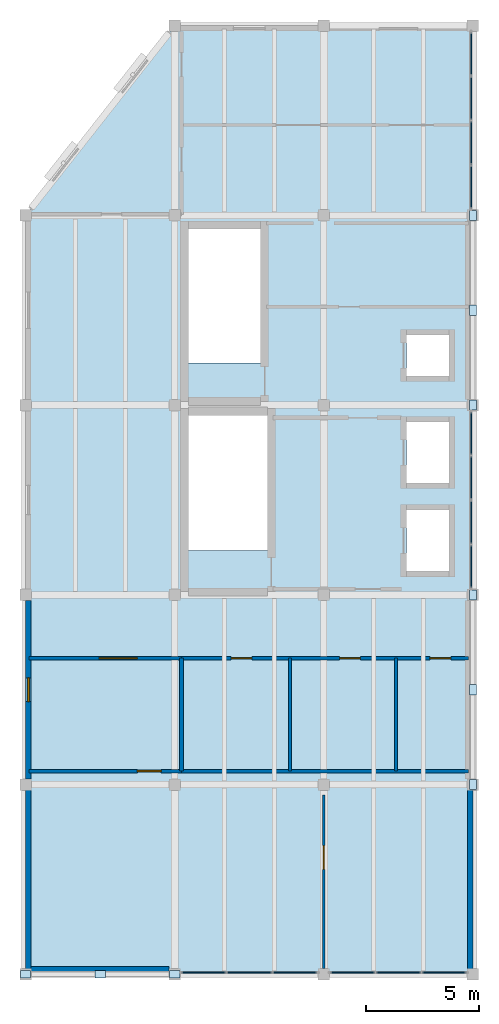
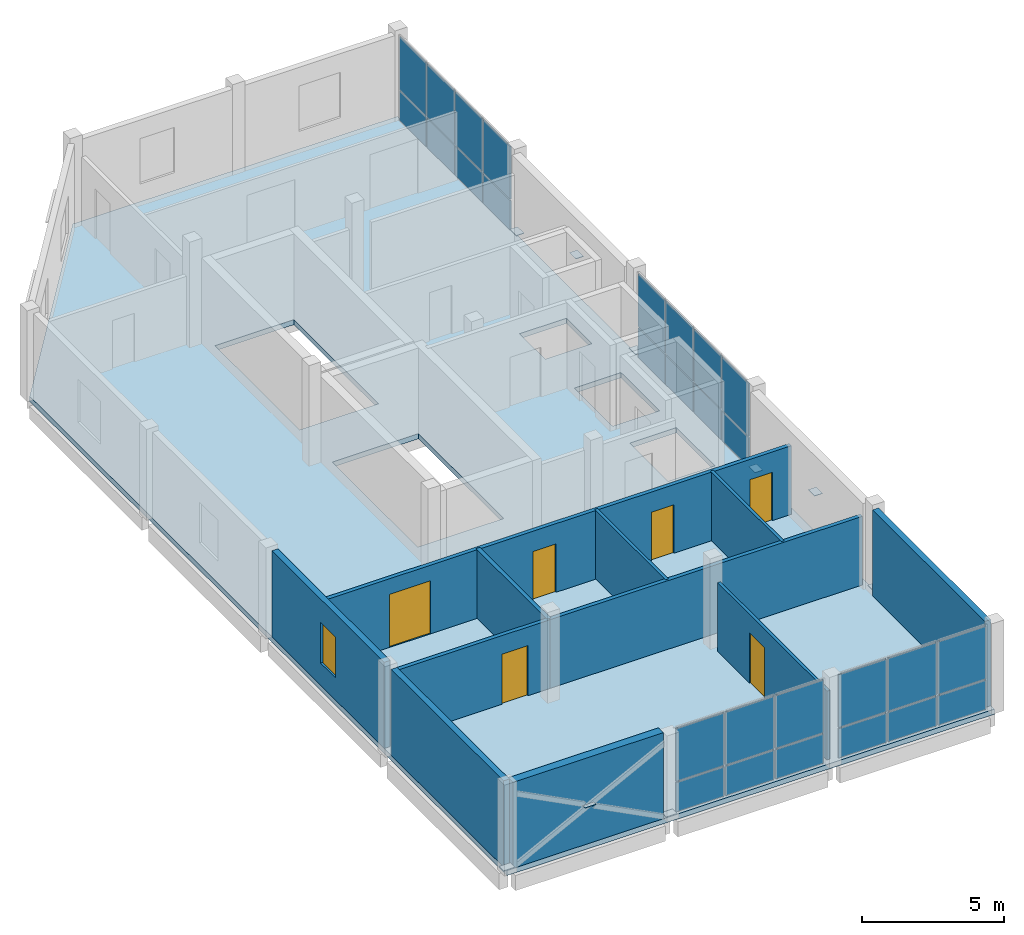
# One storey, part 4 of 7: 37 plates, 12 walls, 6 doors, 1 slab, 1 window, 7 openings, 4 elements without a shape of their own.
"""IFC4 building model written with IfcOpenShell, lengths in metres."""

from ifc_helpers import new_model, si_unit, direction, frame, frame_2d, origin, origin_2d, place, context, subcontext, project, spatial, polyline, rectangle, outline, extrude, material, layer, layer_set, type_object, element, fill, aggregate, save


model = new_model("IFC4")

# Units and contexts
model_context = context("Model", 3, precision=1e-05, world=origin(), true_north=direction((0.0, 1.0)))
body_context = subcontext(model_context, "Body", "Model", "MODEL_VIEW")
ifc_project = project(units=[si_unit("LENGTHUNIT", "METRE"), si_unit("AREAUNIT", "SQUARE_METRE"), si_unit("VOLUMEUNIT", "CUBIC_METRE"), si_unit("PLANEANGLEUNIT", "RADIAN"), si_unit("MASSUNIT", "GRAM", prefix="KILO")], contexts=[model_context])

# Site, building, storey
site_placement = place(None, origin())
site = spatial("IfcSite", under=ifc_project, at=site_placement, CompositionType="ELEMENT")
building_placement = place(site_placement, origin())
building = spatial("IfcBuilding", under=site, at=building_placement, Name="Qaldarim Faculty of Natural and Applied Sciences", CompositionType="ELEMENT")
storey_placement = place(building_placement, frame((0.0, 0.0, 47.10009765625)))
storey = spatial("IfcBuildingStorey", under=building, at=storey_placement, Name="L11", CompositionType="ELEMENT", Elevation=47.10009765625)

# Plates
ifc_material_1 = material(Name="Structural steel S355", Category="steel")
ifc_layer_1 = layer(ifc_material_1, 0.02001953125)
ifc_layer_set_1 = layer_set([ifc_layer_1], Name="Structural steel S355")
plate_type_1 = type_object("IfcPlateType", Name="GussetPlate-S355-450x320x20", PredefinedType="SHEET", material=ifc_layer_set_1)
for number, where, z_axis, x_axis, name in (
    (1, (161.699951171875, 0.0, 1.68994140625), (0.0, 0.0, 1.0), (1.0, 0.0, 0.0), "South diagrid L11 X-crossing gusset plate"),
    (2, (158.39990234375, 0.0, 0.139892578125), (0.0, 0.0, 1.0), (1.0, 0.0, 0.0), "South diagrid L11 base gusset BL"),
    (3, (165.0, 0.0, 0.139892578125), (0.0, 0.0, 1.0), (1.0, 0.0, 0.0), "South diagrid L11 base gusset BR"),
    (4, (178.199951171875, 12.60009765625, 1.68994140625), (0.0, 0.0, 1.0), (0.0, 1.0, 0.0), "East diagrid L11 X-crossing gusset plate"),
    (5, (178.199951171875, 8.39990234375, 0.139892578125), (0.0, 0.0, 1.0), (0.0, 1.0, 0.0), "East diagrid L11 base gusset BL"),
    (6, (178.199951171875, 16.800048828125, 0.139892578125), (0.0, 0.0, 1.0), (0.0, 1.0, 0.0), "East diagrid L11 base gusset BR"),
    (7, (178.199951171875, 29.39990234375, 1.68994140625), (0.0, 0.0, 1.0), (0.0, 1.0, 0.0), "Upper east diagrid L11 X-crossing gusset plate"),
    (8, (178.199951171875, 25.199951171875, 0.139892578125), (0.0, 0.0, 1.0), (0.0, 1.0, 0.0), "Upper east diagrid L11 base gusset BL"),
    (9, (178.199951171875, 33.60009765625, 0.139892578125), (0.0, 0.0, 1.0), (0.0, 1.0, 0.0), "Upper east diagrid L11 base gusset BR"),
):
    element("IfcPlate", number, at=place(storey_placement, frame(where, z_axis=z_axis, x_axis=x_axis)), inside=storey, type_object=plate_type_1, Name=name, PredefinedType="SHEET", context=body_context, shape_type="SweptSolid", body=[
        extrude(rectangle(XDim=0.449951171875, YDim=0.320068359375, at=origin_2d()), origin(), (0.0, 0.0, 1.0), 0.02001953125),
    ])

# Curtain wall, plates
ifc_material_2 = material(Name="Anodised aluminium AW-6063", Category="aluminium")
curtain_wall_type = type_object("IfcCurtainWallType", Name="CurtainWallSystem-M1950", PredefinedType="USERDEFINED", material=ifc_material_2)
curtain_wall_1_placement = place(storey_placement, origin())
curtain_wall_1 = element("IfcCurtainWall", 10, at=curtain_wall_1_placement, inside=storey, type_object=curtain_wall_type, Name="Curtain wall CW-L11-S-X26Y01", ObjectType="UNITISED FACADE", PredefinedType="USERDEFINED")
ifc_material_3 = material(Name="White architectural precast concrete C40/50", Category="concrete")
ifc_layer_2 = layer(ifc_material_3, 0.050048828125)
ifc_layer_set_2 = layer_set([ifc_layer_2], Name="White architectural precast concrete C40/50")
plate_type_2 = type_object("IfcPlateType", Name="LimestoneSpandrelPanel-50", PredefinedType="CURTAIN_PANEL", material=ifc_layer_set_2)
plate_1_placement = place(storey_placement, frame((166.2783203125, 0.080078125, 0.06005859375), z_axis=(0.0, 0.0, 1.0), x_axis=(1.0, 0.0, 0.0)))
plate_1 = element("IfcPlate", 11, at=plate_1_placement, type_object=plate_type_2, Name="Glazed panel 1-1 of CW-L11-S-X26Y01", PredefinedType="CURTAIN_PANEL", context=body_context, shape_type="SweptSolid", body=[
    extrude(rectangle(XDim=1.94677734375, YDim=0.050048828125, at=origin_2d()), origin(), (0.0, 0.0, 1.0), 1.260009765625),
])
plate_2_placement = place(storey_placement, frame((166.2783203125, 0.080078125, 1.3798828125), z_axis=(0.0, 0.0, 1.0), x_axis=(1.0, 0.0, 0.0)))
plate_2 = element("IfcPlate", 12, at=plate_2_placement, type_object=plate_type_2, Name="Glazed panel 1-2 of CW-L11-S-X26Y01", PredefinedType="CURTAIN_PANEL", context=body_context, shape_type="SweptSolid", body=[
    extrude(rectangle(XDim=1.94677734375, YDim=0.050048828125, at=origin_2d()), origin(), (0.0, 0.0, 1.0), 2.260009765625),
])
plate_3_placement = place(storey_placement, frame((168.300048828125, 0.080078125, 0.06005859375), z_axis=(0.0, 0.0, 1.0), x_axis=(1.0, 0.0, 0.0)))
plate_3 = element("IfcPlate", 13, at=plate_3_placement, type_object=plate_type_2, Name="Glazed panel 2-1 of CW-L11-S-X26Y01", PredefinedType="CURTAIN_PANEL", context=body_context, shape_type="SweptSolid", body=[
    extrude(rectangle(XDim=1.976806640625, YDim=0.050048828125, at=origin_2d()), origin(), (0.0, 0.0, 1.0), 1.260009765625),
])
plate_4_placement = place(storey_placement, frame((168.300048828125, 0.080078125, 1.3798828125), z_axis=(0.0, 0.0, 1.0), x_axis=(1.0, 0.0, 0.0)))
plate_4 = element("IfcPlate", 14, at=plate_4_placement, type_object=plate_type_2, Name="Glazed panel 2-2 of CW-L11-S-X26Y01", PredefinedType="CURTAIN_PANEL", context=body_context, shape_type="SweptSolid", body=[
    extrude(rectangle(XDim=1.976806640625, YDim=0.050048828125, at=origin_2d()), origin(), (0.0, 0.0, 1.0), 2.260009765625),
])
plate_5_placement = place(storey_placement, frame((170.32177734375, 0.080078125, 0.06005859375), z_axis=(0.0, 0.0, 1.0), x_axis=(1.0, 0.0, 0.0)))
plate_5 = element("IfcPlate", 15, at=plate_5_placement, type_object=plate_type_2, Name="Glazed panel 3-1 of CW-L11-S-X26Y01", PredefinedType="CURTAIN_PANEL", context=body_context, shape_type="SweptSolid", body=[
    extrude(rectangle(XDim=1.94677734375, YDim=0.050048828125, at=origin_2d()), origin(), (0.0, 0.0, 1.0), 1.260009765625),
])
plate_6_placement = place(storey_placement, frame((170.32177734375, 0.080078125, 1.3798828125), z_axis=(0.0, 0.0, 1.0), x_axis=(1.0, 0.0, 0.0)))
plate_6 = element("IfcPlate", 16, at=plate_6_placement, type_object=plate_type_2, Name="Glazed panel 3-2 of CW-L11-S-X26Y01", PredefinedType="CURTAIN_PANEL", context=body_context, shape_type="SweptSolid", body=[
    extrude(rectangle(XDim=1.94677734375, YDim=0.050048828125, at=origin_2d()), origin(), (0.0, 0.0, 1.0), 2.260009765625),
])
aggregate(curtain_wall_1, [plate_1, plate_2, plate_3, plate_4, plate_5, plate_6])

curtain_wall_2_placement = place(storey_placement, origin())
curtain_wall_2 = element("IfcCurtainWall", 17, at=curtain_wall_2_placement, inside=storey, type_object=curtain_wall_type, Name="Curtain wall CW-L11-S-X27Y01", ObjectType="UNITISED FACADE", PredefinedType="USERDEFINED")
plate_7_placement = place(storey_placement, frame((172.87841796875, 0.080078125, 0.06005859375), z_axis=(0.0, 0.0, 1.0), x_axis=(1.0, 0.0, 0.0)))
plate_7 = element("IfcPlate", 18, at=plate_7_placement, type_object=plate_type_2, Name="Glazed panel 1-1 of CW-L11-S-X27Y01", PredefinedType="CURTAIN_PANEL", context=body_context, shape_type="SweptSolid", body=[
    extrude(rectangle(XDim=1.94677734375, YDim=0.050048828125, at=origin_2d()), origin(), (0.0, 0.0, 1.0), 1.260009765625),
])
plate_8_placement = place(storey_placement, frame((172.87841796875, 0.080078125, 1.3798828125), z_axis=(0.0, 0.0, 1.0), x_axis=(1.0, 0.0, 0.0)))
plate_8 = element("IfcPlate", 19, at=plate_8_placement, type_object=plate_type_2, Name="Glazed panel 1-2 of CW-L11-S-X27Y01", PredefinedType="CURTAIN_PANEL", context=body_context, shape_type="SweptSolid", body=[
    extrude(rectangle(XDim=1.94677734375, YDim=0.050048828125, at=origin_2d()), origin(), (0.0, 0.0, 1.0), 2.260009765625),
])
plate_9_placement = place(storey_placement, frame((174.89990234375, 0.080078125, 0.06005859375), z_axis=(0.0, 0.0, 1.0), x_axis=(1.0, 0.0, 0.0)))
plate_9 = element("IfcPlate", 20, at=plate_9_placement, type_object=plate_type_2, Name="Glazed panel 2-1 of CW-L11-S-X27Y01", PredefinedType="CURTAIN_PANEL", context=body_context, shape_type="SweptSolid", body=[
    extrude(rectangle(XDim=1.976806640625, YDim=0.050048828125, at=origin_2d()), origin(), (0.0, 0.0, 1.0), 1.260009765625),
])
plate_10_placement = place(storey_placement, frame((174.89990234375, 0.080078125, 1.3798828125), z_axis=(0.0, 0.0, 1.0), x_axis=(1.0, 0.0, 0.0)))
plate_10 = element("IfcPlate", 21, at=plate_10_placement, type_object=plate_type_2, Name="Glazed panel 2-2 of CW-L11-S-X27Y01", PredefinedType="CURTAIN_PANEL", context=body_context, shape_type="SweptSolid", body=[
    extrude(rectangle(XDim=1.976806640625, YDim=0.050048828125, at=origin_2d()), origin(), (0.0, 0.0, 1.0), 2.260009765625),
])
plate_11_placement = place(storey_placement, frame((176.921630859375, 0.080078125, 0.06005859375), z_axis=(0.0, 0.0, 1.0), x_axis=(1.0, 0.0, 0.0)))
plate_11 = element("IfcPlate", 22, at=plate_11_placement, type_object=plate_type_2, Name="Glazed panel 3-1 of CW-L11-S-X27Y01", PredefinedType="CURTAIN_PANEL", context=body_context, shape_type="SweptSolid", body=[
    extrude(rectangle(XDim=1.94677734375, YDim=0.050048828125, at=origin_2d()), origin(), (0.0, 0.0, 1.0), 1.260009765625),
])
plate_12_placement = place(storey_placement, frame((176.921630859375, 0.080078125, 1.3798828125), z_axis=(0.0, 0.0, 1.0), x_axis=(1.0, 0.0, 0.0)))
plate_12 = element("IfcPlate", 23, at=plate_12_placement, type_object=plate_type_2, Name="Glazed panel 3-2 of CW-L11-S-X27Y01", PredefinedType="CURTAIN_PANEL", context=body_context, shape_type="SweptSolid", body=[
    extrude(rectangle(XDim=1.94677734375, YDim=0.050048828125, at=origin_2d()), origin(), (0.0, 0.0, 1.0), 2.260009765625),
])
aggregate(curtain_wall_2, [plate_7, plate_8, plate_9, plate_10, plate_11, plate_12])

curtain_wall_3_placement = place(storey_placement, origin())
curtain_wall_3 = element("IfcCurtainWall", 24, at=curtain_wall_3_placement, inside=storey, type_object=curtain_wall_type, Name="Curtain wall CW-L11-E-X27Y03", ObjectType="UNITISED FACADE", PredefinedType="USERDEFINED")
plate_13_placement = place(storey_placement, frame((178.1201171875, 18.048828125, 0.06005859375), z_axis=(0.0, 0.0, 1.0), x_axis=(0.0, 1.0, 0.0)))
plate_13 = element("IfcPlate", 25, at=plate_13_placement, type_object=plate_type_2, Name="Glazed panel 1-1 of CW-L11-E-X27Y03", PredefinedType="CURTAIN_PANEL", context=body_context, shape_type="SweptSolid", body=[
    extrude(rectangle(XDim=1.887451171875, YDim=0.050048828125, at=origin_2d()), origin(), (0.0, 0.0, 1.0), 1.260009765625),
])
plate_14_placement = place(storey_placement, frame((178.1201171875, 18.048828125, 1.3798828125), z_axis=(0.0, 0.0, 1.0), x_axis=(0.0, 1.0, 0.0)))
plate_14 = element("IfcPlate", 26, at=plate_14_placement, type_object=plate_type_2, Name="Glazed panel 1-2 of CW-L11-E-X27Y03", PredefinedType="CURTAIN_PANEL", context=body_context, shape_type="SweptSolid", body=[
    extrude(rectangle(XDim=1.887451171875, YDim=0.050048828125, at=origin_2d()), origin(), (0.0, 0.0, 1.0), 2.260009765625),
])
plate_15_placement = place(storey_placement, frame((178.1201171875, 20.01123046875, 0.06005859375), z_axis=(0.0, 0.0, 1.0), x_axis=(0.0, 1.0, 0.0)))
plate_15 = element("IfcPlate", 27, at=plate_15_placement, type_object=plate_type_2, Name="Glazed panel 2-1 of CW-L11-E-X27Y03", PredefinedType="CURTAIN_PANEL", context=body_context, shape_type="SweptSolid", body=[
    extrude(rectangle(XDim=1.91748046875, YDim=0.050048828125, at=origin_2d()), origin(), (0.0, 0.0, 1.0), 1.260009765625),
])
plate_16_placement = place(storey_placement, frame((178.1201171875, 20.01123046875, 1.3798828125), z_axis=(0.0, 0.0, 1.0), x_axis=(0.0, 1.0, 0.0)))
plate_16 = element("IfcPlate", 28, at=plate_16_placement, type_object=plate_type_2, Name="Glazed panel 2-2 of CW-L11-E-X27Y03", PredefinedType="CURTAIN_PANEL", context=body_context, shape_type="SweptSolid", body=[
    extrude(rectangle(XDim=1.91748046875, YDim=0.050048828125, at=origin_2d()), origin(), (0.0, 0.0, 1.0), 2.260009765625),
])
plate_17_placement = place(storey_placement, frame((178.1201171875, 21.98876953125, 0.06005859375), z_axis=(0.0, 0.0, 1.0), x_axis=(0.0, 1.0, 0.0)))
plate_17 = element("IfcPlate", 29, at=plate_17_placement, type_object=plate_type_2, Name="Glazed panel 3-1 of CW-L11-E-X27Y03", PredefinedType="CURTAIN_PANEL", context=body_context, shape_type="SweptSolid", body=[
    extrude(rectangle(XDim=1.91748046875, YDim=0.050048828125, at=origin_2d()), origin(), (0.0, 0.0, 1.0), 1.260009765625),
])
plate_18_placement = place(storey_placement, frame((178.1201171875, 21.98876953125, 1.3798828125), z_axis=(0.0, 0.0, 1.0), x_axis=(0.0, 1.0, 0.0)))
plate_18 = element("IfcPlate", 30, at=plate_18_placement, type_object=plate_type_2, Name="Glazed panel 3-2 of CW-L11-E-X27Y03", PredefinedType="CURTAIN_PANEL", context=body_context, shape_type="SweptSolid", body=[
    extrude(rectangle(XDim=1.91748046875, YDim=0.050048828125, at=origin_2d()), origin(), (0.0, 0.0, 1.0), 2.260009765625),
])
plate_19_placement = place(storey_placement, frame((178.1201171875, 23.951171875, 0.06005859375), z_axis=(0.0, 0.0, 1.0), x_axis=(0.0, 1.0, 0.0)))
plate_19 = element("IfcPlate", 31, at=plate_19_placement, type_object=plate_type_2, Name="Glazed panel 4-1 of CW-L11-E-X27Y03", PredefinedType="CURTAIN_PANEL", context=body_context, shape_type="SweptSolid", body=[
    extrude(rectangle(XDim=1.887451171875, YDim=0.050048828125, at=origin_2d()), origin(), (0.0, 0.0, 1.0), 1.260009765625),
])
plate_20_placement = place(storey_placement, frame((178.1201171875, 23.951171875, 1.3798828125), z_axis=(0.0, 0.0, 1.0), x_axis=(0.0, 1.0, 0.0)))
plate_20 = element("IfcPlate", 32, at=plate_20_placement, type_object=plate_type_2, Name="Glazed panel 4-2 of CW-L11-E-X27Y03", PredefinedType="CURTAIN_PANEL", context=body_context, shape_type="SweptSolid", body=[
    extrude(rectangle(XDim=1.887451171875, YDim=0.050048828125, at=origin_2d()), origin(), (0.0, 0.0, 1.0), 2.260009765625),
])
aggregate(curtain_wall_3, [plate_13, plate_14, plate_15, plate_16, plate_17, plate_18, plate_19, plate_20])

curtain_wall_4_placement = place(storey_placement, origin())
curtain_wall_4 = element("IfcCurtainWall", 33, at=curtain_wall_4_placement, inside=storey, type_object=curtain_wall_type, Name="Curtain wall CW-L11-E-X27Y05", ObjectType="UNITISED FACADE", PredefinedType="USERDEFINED")
plate_21_placement = place(storey_placement, frame((178.1201171875, 34.848876953125, 0.06005859375), z_axis=(0.0, 0.0, 1.0), x_axis=(0.0, 1.0, 0.0)))
plate_21 = element("IfcPlate", 34, at=plate_21_placement, type_object=plate_type_2, Name="Glazed panel 1-1 of CW-L11-E-X27Y05", PredefinedType="CURTAIN_PANEL", context=body_context, shape_type="SweptSolid", body=[
    extrude(rectangle(XDim=1.887451171875, YDim=0.050048828125, at=origin_2d()), origin(), (0.0, 0.0, 1.0), 1.260009765625),
])
plate_22_placement = place(storey_placement, frame((178.1201171875, 34.848876953125, 1.3798828125), z_axis=(0.0, 0.0, 1.0), x_axis=(0.0, 1.0, 0.0)))
plate_22 = element("IfcPlate", 35, at=plate_22_placement, type_object=plate_type_2, Name="Glazed panel 1-2 of CW-L11-E-X27Y05", PredefinedType="CURTAIN_PANEL", context=body_context, shape_type="SweptSolid", body=[
    extrude(rectangle(XDim=1.887451171875, YDim=0.050048828125, at=origin_2d()), origin(), (0.0, 0.0, 1.0), 2.260009765625),
])
plate_23_placement = place(storey_placement, frame((178.1201171875, 36.811279296875, 0.06005859375), z_axis=(0.0, 0.0, 1.0), x_axis=(0.0, 1.0, 0.0)))
plate_23 = element("IfcPlate", 36, at=plate_23_placement, type_object=plate_type_2, Name="Glazed panel 2-1 of CW-L11-E-X27Y05", PredefinedType="CURTAIN_PANEL", context=body_context, shape_type="SweptSolid", body=[
    extrude(rectangle(XDim=1.91748046875, YDim=0.050048828125, at=origin_2d()), origin(), (0.0, 0.0, 1.0), 1.260009765625),
])
plate_24_placement = place(storey_placement, frame((178.1201171875, 36.811279296875, 1.3798828125), z_axis=(0.0, 0.0, 1.0), x_axis=(0.0, 1.0, 0.0)))
plate_24 = element("IfcPlate", 37, at=plate_24_placement, type_object=plate_type_2, Name="Glazed panel 2-2 of CW-L11-E-X27Y05", PredefinedType="CURTAIN_PANEL", context=body_context, shape_type="SweptSolid", body=[
    extrude(rectangle(XDim=1.91748046875, YDim=0.050048828125, at=origin_2d()), origin(), (0.0, 0.0, 1.0), 2.260009765625),
])
plate_25_placement = place(storey_placement, frame((178.1201171875, 38.788818359375, 0.06005859375), z_axis=(0.0, 0.0, 1.0), x_axis=(0.0, 1.0, 0.0)))
plate_25 = element("IfcPlate", 38, at=plate_25_placement, type_object=plate_type_2, Name="Glazed panel 3-1 of CW-L11-E-X27Y05", PredefinedType="CURTAIN_PANEL", context=body_context, shape_type="SweptSolid", body=[
    extrude(rectangle(XDim=1.91748046875, YDim=0.050048828125, at=origin_2d()), origin(), (0.0, 0.0, 1.0), 1.260009765625),
])
plate_26_placement = place(storey_placement, frame((178.1201171875, 38.788818359375, 1.3798828125), z_axis=(0.0, 0.0, 1.0), x_axis=(0.0, 1.0, 0.0)))
plate_26 = element("IfcPlate", 39, at=plate_26_placement, type_object=plate_type_2, Name="Glazed panel 3-2 of CW-L11-E-X27Y05", PredefinedType="CURTAIN_PANEL", context=body_context, shape_type="SweptSolid", body=[
    extrude(rectangle(XDim=1.91748046875, YDim=0.050048828125, at=origin_2d()), origin(), (0.0, 0.0, 1.0), 2.260009765625),
])
plate_27_placement = place(storey_placement, frame((178.1201171875, 40.751220703125, 0.06005859375), z_axis=(0.0, 0.0, 1.0), x_axis=(0.0, 1.0, 0.0)))
plate_27 = element("IfcPlate", 40, at=plate_27_placement, type_object=plate_type_2, Name="Glazed panel 4-1 of CW-L11-E-X27Y05", PredefinedType="CURTAIN_PANEL", context=body_context, shape_type="SweptSolid", body=[
    extrude(rectangle(XDim=1.887451171875, YDim=0.050048828125, at=origin_2d()), origin(), (0.0, 0.0, 1.0), 1.260009765625),
])
plate_28_placement = place(storey_placement, frame((178.1201171875, 40.751220703125, 1.3798828125), z_axis=(0.0, 0.0, 1.0), x_axis=(0.0, 1.0, 0.0)))
plate_28 = element("IfcPlate", 41, at=plate_28_placement, type_object=plate_type_2, Name="Glazed panel 4-2 of CW-L11-E-X27Y05", PredefinedType="CURTAIN_PANEL", context=body_context, shape_type="SweptSolid", body=[
    extrude(rectangle(XDim=1.887451171875, YDim=0.050048828125, at=origin_2d()), origin(), (0.0, 0.0, 1.0), 2.260009765625),
])
aggregate(curtain_wall_4, [plate_21, plate_22, plate_23, plate_24, plate_25, plate_26, plate_27, plate_28])

# Slab
ifc_material_4 = material(Name="Concrete C40/50", Category="concrete")
ifc_layer_3 = layer(ifc_material_4, 0.219970703125)
ifc_layer_set_3 = layer_set([ifc_layer_3], Name="Concrete C40/50")
slab_type = type_object("IfcSlabType", Name="ResearchWingSlab-220", PredefinedType="FLOOR", material=ifc_layer_set_3)
slab_placement = place(storey_placement, frame((0.0, 0.0, -0.22021484375)))
element("IfcSlab", 42, at=slab_placement, inside=storey, type_object=slab_type, Name="Floor slab L11 V5", PredefinedType="FLOOR", context=body_context, shape_type="SweptSolid", body=[
    extrude(outline(polyline([(158.39990234375, 0.0), (178.199951171875, 0.0), (178.199951171875, 42.0), (165.0, 42.0), (158.39990234375, 33.60009765625), (158.39990234375, 8.39990234375), (158.39990234375, 0.0)]), holes=[polyline([(169.10009765625, 18.764892578125), (169.10009765625, 24.77490234375), (165.60009765625, 24.77490234375), (165.60009765625, 18.764892578125), (169.10009765625, 18.764892578125)]), polyline([(168.800048828125, 27.06494140625), (168.800048828125, 33.02490234375), (165.60009765625, 33.02490234375), (165.60009765625, 27.06494140625), (168.800048828125, 27.06494140625)]), polyline([(175.25, 17.85009765625), (177.14990234375, 17.85009765625), (177.14990234375, 20.550048828125), (175.25, 20.550048828125), (175.25, 17.85009765625)]), polyline([(175.25, 21.75), (177.14990234375, 21.75), (177.14990234375, 24.449951171875), (175.25, 24.449951171875), (175.25, 21.75)]), polyline([(175.25, 26.5), (177.14990234375, 26.5), (177.14990234375, 28.300048828125), (175.25, 28.300048828125), (175.25, 26.5)])]), origin(), (0.0, 0.0, 1.0), 0.22021484375),
])

# Walls
ifc_material_5 = material(Name="Painted gypsum partition board")
ifc_layer_4 = layer(ifc_material_5, 0.1201171875)
ifc_layer_set_4 = layer_set([ifc_layer_4], Name="Painted gypsum partition board")
wall_type_1 = type_object("IfcWallType", Name="AcousticPartition-120", PredefinedType="PARTITIONING", material=ifc_layer_set_4)
for number, where, z_axis, x_axis, name in (
    (43, (170.10009765625, 9.0, 0.0), (0.0, 0.0, 1.0), (0.0, 1.0, 0.0), "Interior partition PRT-L11-V5-WCD1"),
    (44, (174.800048828125, 9.0, 0.0), (0.0, 0.0, 1.0), (0.0, 1.0, 0.0), "Interior partition PRT-L11-V5-WCD2"),
):
    element("IfcWall", number, at=place(storey_placement, frame(where, z_axis=z_axis, x_axis=x_axis)), inside=storey, type_object=wall_type_1, Name=name, PredefinedType="PARTITIONING", context=body_context, shape_type="SweptSolid", body=[
        extrude(rectangle(XDim=5.0, YDim=0.1201171875, at=frame_2d((2.5, 0.0))), origin(), (0.0, 0.0, 1.0), 2.949951171875),
    ])

# Wall, opening, door
wall_1_placement = place(storey_placement, frame((171.60009765625, 0.25, 0.0), z_axis=(0.0, 0.0, 1.0), x_axis=(0.0, 1.0, 0.0)))
wall_1 = element("IfcWall", 45, at=wall_1_placement, inside=storey, type_object=wall_type_1, Name="Interior partition PRT-L11-U-D1", PredefinedType="PARTITIONING", context=body_context, shape_type="SweptSolid", body=[
    extrude(rectangle(XDim=7.699951171875, YDim=0.1201171875, at=frame_2d((3.85009765625, 0.0))), origin(), (0.0, 0.0, 1.0), 2.949951171875),
])
opening_1_placement = place(wall_1_placement, frame((4.39990234375, 0.0, 0.0)))
opening_1 = element("IfcOpeningElement", 46, at=opening_1_placement, cuts=wall_1, Name="Opening ID02", PredefinedType="OPENING", context=body_context, shape_type="SweptSolid", body=[
    extrude(rectangle(XDim=1.050048828125, YDim=2.14990234375, at=frame_2d((0.52490234375, 1.074951171875))), frame((0.0, 0.070068359375, 0.0), z_axis=(0.0, -1.0, 0.0), x_axis=(1.0, 0.0, 0.0)), (0.0, 0.0, 1.0), 0.14013671875),
])
ifc_material_6 = material(Name="Oak hardwood", Category="wood")
door_type_1 = type_object("IfcDoorType", Name="AccessibleRoomDoor-1050x2150", OperationType="NOTDEFINED", PredefinedType="DOOR", material=ifc_material_6)
door_1_placement = place(opening_1_placement, origin())
door_1 = element("IfcDoor", 47, at=door_1_placement, inside=storey, type_object=door_type_1, Name="Interior door D-L11-295", OperationType="SINGLE_SWING_LEFT", OverallHeight=2.14990234375, OverallWidth=1.050048828125, PredefinedType="DOOR", context=body_context, shape_type="SweptSolid", body=[
    extrude(rectangle(XDim=1.050048828125, YDim=2.14990234375, at=frame_2d((0.52490234375, 1.074951171875))), frame((0.0, 0.02490234375, 0.0), z_axis=(0.0, -1.0, 0.0), x_axis=(1.0, 0.0, 0.0)), (0.0, 0.0, 1.0), 0.050048828125),
])
fill(opening_1, door_1)

# Wall
ifc_material_7 = material(Name="Precast concrete C40/50", Category="concrete")
ifc_layer_5 = layer(ifc_material_7, 0.239990234375)
ifc_layer_set_5 = layer_set([ifc_layer_5], Name="Precast concrete C40/50")
wall_type_2 = type_object("IfcWallType", Name="ExteriorInsulatedWall-240", PredefinedType="SOLIDWALL", material=ifc_layer_set_5)
wall_2_placement = place(storey_placement, frame((158.52001953125, 8.155029296875, 0.0), z_axis=(0.0, 0.0, 1.0), x_axis=(0.0, -1.0, 0.0)))
element("IfcWall", 48, at=wall_2_placement, inside=storey, type_object=wall_type_2, Name="Exterior wall EW03 L11 W X25Y01", PredefinedType="SOLIDWALL", context=body_context, shape_type="SweptSolid", body=[
    extrude(rectangle(XDim=7.909912109375, YDim=0.239990234375, at=frame_2d((3.955078125, 0.0))), origin(), (0.0, 0.0, 1.0), 3.699951171875),
])

# Wall, opening, window
wall_3_placement = place(storey_placement, frame((158.52001953125, 16.554931640625, 0.0), z_axis=(0.0, 0.0, 1.0), x_axis=(0.0, -1.0, 0.0)))
wall_3 = element("IfcWall", 49, at=wall_3_placement, inside=storey, type_object=wall_type_2, Name="Exterior wall EW03 L11 W X25Y02", PredefinedType="SOLIDWALL", context=body_context, shape_type="SweptSolid", body=[
    extrude(rectangle(XDim=7.909912109375, YDim=0.239990234375, at=frame_2d((3.955078125, 0.0))), origin(), (0.0, 0.0, 1.0), 3.699951171875),
])
opening_2_placement = place(wall_3_placement, frame((3.429931640625, 0.0, 0.949951171875)))
opening_2 = element("IfcOpeningElement", 50, at=opening_2_placement, cuts=wall_3, Name="Opening WN17", PredefinedType="OPENING", context=body_context, shape_type="SweptSolid", body=[
    extrude(rectangle(XDim=1.050048828125, YDim=1.75, at=frame_2d((0.52490234375, 0.875))), frame((0.0, 0.1298828125, 0.0), z_axis=(0.0, -1.0, 0.0), x_axis=(1.0, 0.0, 0.0)), (0.0, 0.0, 1.0), 0.260009765625),
])
ifc_material_8 = material(Name="Insulated low-e double glazing", Category="glass")
window_type = type_object("IfcWindowType", Name="StudyWindow-1050x1750", PartitioningType="SINGLE_PANEL", PredefinedType="WINDOW", material=ifc_material_8)
window_placement = place(opening_2_placement, origin())
window = element("IfcWindow", 51, at=window_placement, inside=storey, type_object=window_type, Name="Facade window WN17 L11 W X25Y02", OverallHeight=1.75, OverallWidth=1.050048828125, PartitioningType="SINGLE_PANEL", PredefinedType="WINDOW", context=body_context, shape_type="SweptSolid", body=[
    extrude(rectangle(XDim=1.050048828125, YDim=1.75, at=frame_2d((0.52490234375, 0.875))), frame((0.0, 0.030029296875, 0.0), z_axis=(0.0, -1.0, 0.0), x_axis=(1.0, 0.0, 0.0)), (0.0, 0.0, 1.0), 0.06005859375),
])
fill(opening_2, window)

# Walls
wall_4_placement = place(storey_placement, frame((178.080078125, 0.2451171875, 0.0), z_axis=(0.0, 0.0, 1.0), x_axis=(0.0, 1.0, 0.0)))
element("IfcWall", 52, at=wall_4_placement, inside=storey, type_object=wall_type_2, Name="Exterior wall EW03 L11 E X27Y01", PredefinedType="SOLIDWALL", context=body_context, shape_type="SweptSolid", body=[
    extrude(rectangle(XDim=7.909912109375, YDim=0.239990234375, at=frame_2d((3.955078125, 0.0))), origin(), (0.0, 0.0, 1.0), 3.699951171875),
])
ifc_material_9 = material(Name="Concrete C50/60", Category="concrete")
ifc_layer_6 = layer(ifc_material_9, 0.340087890625)
ifc_layer_set_6 = layer_set([ifc_layer_6], Name="Concrete C50/60")
wall_type_3 = type_object("IfcWallType", Name="ExteriorStairShearWall-340", PredefinedType="SHEAR", material=ifc_layer_set_6)
wall_5_placement = place(storey_placement, frame((158.64501953125, 0.169921875, 0.0), z_axis=(0.0, 0.0, 1.0), x_axis=(1.0, 0.0, 0.0)))
element("IfcWall", 53, at=wall_5_placement, inside=storey, type_object=wall_type_3, Name="Exterior wall EW05 L11 S X25Y01", PredefinedType="SHEAR", context=body_context, shape_type="SweptSolid", body=[
    extrude(rectangle(XDim=6.10986328125, YDim=0.340087890625, at=frame_2d((3.054931640625, 0.0))), origin(), (0.0, 0.0, 1.0), 3.699951171875),
])

# Wall, openings, doors
ifc_layer_7 = layer(ifc_material_4, 0.159912109375)
ifc_layer_set_7 = layer_set([ifc_layer_7], Name="Concrete C40/50")
wall_type_4 = type_object("IfcWallType", Name="FireCorridorWall-160", PredefinedType="PARTITIONING", material=ifc_layer_set_7)
wall_6_placement = place(storey_placement, frame((165.300048828125, 14.0, 0.0), z_axis=(0.0, 0.0, 1.0), x_axis=(1.0, 0.0, 0.0)))
wall_6 = element("IfcWall", 54, at=wall_6_placement, inside=storey, type_object=wall_type_4, Name="Interior partition PRT-L11-V5-WCN", PredefinedType="PARTITIONING", context=body_context, shape_type="SweptSolid", body=[
    extrude(rectangle(XDim=12.699951171875, YDim=0.159912109375, at=frame_2d((6.35009765625, 0.0))), origin(), (0.0, 0.0, 1.0), 2.949951171875),
])
opening_3_placement = place(wall_6_placement, frame((2.199951171875, 0.0, 0.0)))
opening_3 = element("IfcOpeningElement", 55, at=opening_3_placement, cuts=wall_6, Name="Opening ID14", PredefinedType="OPENING", context=body_context, shape_type="SweptSolid", body=[
    extrude(rectangle(XDim=0.919921875, YDim=2.080078125, at=frame_2d((0.4599609375, 1.0400390625))), frame((0.0, 0.08984375, 0.0), z_axis=(0.0, -1.0, 0.0), x_axis=(1.0, 0.0, 0.0)), (0.0, 0.0, 1.0), 0.179931640625),
])
opening_4_placement = place(wall_6_placement, frame((7.0, 0.0, 0.0)))
opening_4 = element("IfcOpeningElement", 56, at=opening_4_placement, cuts=wall_6, Name="Opening ID14", PredefinedType="OPENING", context=body_context, shape_type="SweptSolid", body=[
    extrude(rectangle(XDim=0.919921875, YDim=2.080078125, at=frame_2d((0.4599609375, 1.0400390625))), frame((0.0, 0.08984375, 0.0), z_axis=(0.0, -1.0, 0.0), x_axis=(1.0, 0.0, 0.0)), (0.0, 0.0, 1.0), 0.179931640625),
])
opening_5_placement = place(wall_6_placement, frame((11.0, 0.0, 0.0)))
opening_5 = element("IfcOpeningElement", 57, at=opening_5_placement, cuts=wall_6, Name="Opening ID14", PredefinedType="OPENING", context=body_context, shape_type="SweptSolid", body=[
    extrude(rectangle(XDim=0.919921875, YDim=2.080078125, at=frame_2d((0.4599609375, 1.0400390625))), frame((0.0, 0.08984375, 0.0), z_axis=(0.0, -1.0, 0.0), x_axis=(1.0, 0.0, 0.0)), (0.0, 0.0, 1.0), 0.179931640625),
])
door_type_2 = type_object("IfcDoorType", Name="WashroomDoor-920x2080", OperationType="NOTDEFINED", PredefinedType="DOOR", material=ifc_material_6)
door_2_placement = place(opening_3_placement, origin())
door_2 = element("IfcDoor", 58, at=door_2_placement, inside=storey, type_object=door_type_2, Name="Interior door D-L11-137", OperationType="SINGLE_SWING_LEFT", OverallHeight=2.080078125, OverallWidth=0.919921875, PredefinedType="DOOR", context=body_context, shape_type="SweptSolid", body=[
    extrude(rectangle(XDim=0.919921875, YDim=2.080078125, at=frame_2d((0.4599609375, 1.0400390625))), frame((0.0, 0.02490234375, 0.0), z_axis=(0.0, -1.0, 0.0), x_axis=(1.0, 0.0, 0.0)), (0.0, 0.0, 1.0), 0.050048828125),
])
fill(opening_3, door_2)
door_3_placement = place(opening_4_placement, origin())
door_3 = element("IfcDoor", 59, at=door_3_placement, inside=storey, type_object=door_type_2, Name="Interior door D-L11-138", OperationType="SINGLE_SWING_RIGHT", OverallHeight=2.080078125, OverallWidth=0.919921875, PredefinedType="DOOR", context=body_context, shape_type="SweptSolid", body=[
    extrude(rectangle(XDim=0.919921875, YDim=2.080078125, at=frame_2d((0.4599609375, 1.0400390625))), frame((0.0, 0.02490234375, 0.0), z_axis=(0.0, -1.0, 0.0), x_axis=(1.0, 0.0, 0.0)), (0.0, 0.0, 1.0), 0.050048828125),
])
fill(opening_4, door_3)
door_4_placement = place(opening_5_placement, origin())
door_4 = element("IfcDoor", 60, at=door_4_placement, inside=storey, type_object=door_type_2, Name="Interior door D-L11-139", OperationType="SINGLE_SWING_LEFT", OverallHeight=2.080078125, OverallWidth=0.919921875, PredefinedType="DOOR", context=body_context, shape_type="SweptSolid", body=[
    extrude(rectangle(XDim=0.919921875, YDim=2.080078125, at=frame_2d((0.4599609375, 1.0400390625))), frame((0.0, 0.02490234375, 0.0), z_axis=(0.0, -1.0, 0.0), x_axis=(1.0, 0.0, 0.0)), (0.0, 0.0, 1.0), 0.050048828125),
])
fill(opening_5, door_4)

# Walls
wall_7_placement = place(storey_placement, frame((165.300048828125, 9.0, 0.0), z_axis=(0.0, 0.0, 1.0), x_axis=(1.0, 0.0, 0.0)))
element("IfcWall", 61, at=wall_7_placement, inside=storey, type_object=wall_type_4, Name="Interior partition PRT-L11-V5-WCS", PredefinedType="PARTITIONING", context=body_context, shape_type="SweptSolid", body=[
    extrude(rectangle(XDim=12.699951171875, YDim=0.159912109375, at=frame_2d((6.35009765625, 0.0))), origin(), (0.0, 0.0, 1.0), 2.949951171875),
])
wall_8_placement = place(storey_placement, frame((165.300048828125, 9.0, 0.0), z_axis=(0.0, 0.0, 1.0), x_axis=(0.0, 1.0, 0.0)))
element("IfcWall", 62, at=wall_8_placement, inside=storey, type_object=wall_type_4, Name="Interior partition PRT-L11-V5-WCW", PredefinedType="PARTITIONING", context=body_context, shape_type="SweptSolid", body=[
    extrude(rectangle(XDim=5.0, YDim=0.159912109375, at=frame_2d((2.5, 0.0))), origin(), (0.0, 0.0, 1.0), 2.949951171875),
])

# Wall, opening, door
wall_9_placement = place(storey_placement, frame((158.550048828125, 9.0, 0.0), z_axis=(0.0, 0.0, 1.0), x_axis=(1.0, 0.0, 0.0)))
wall_9 = element("IfcWall", 63, at=wall_9_placement, inside=storey, type_object=wall_type_4, Name="Interior partition PRT-L11-U-SW", PredefinedType="PARTITIONING", context=body_context, shape_type="SweptSolid", body=[
    extrude(rectangle(XDim=6.75, YDim=0.159912109375, at=frame_2d((3.375, 0.0))), origin(), (0.0, 0.0, 1.0), 2.949951171875),
])
opening_6_placement = place(wall_9_placement, frame((4.800048828125, 0.0, 0.0)))
opening_6 = element("IfcOpeningElement", 64, at=opening_6_placement, cuts=wall_9, Name="Opening ID02", PredefinedType="OPENING", context=body_context, shape_type="SweptSolid", body=[
    extrude(rectangle(XDim=1.050048828125, YDim=2.14990234375, at=frame_2d((0.52490234375, 1.074951171875))), frame((0.0, 0.08984375, 0.0), z_axis=(0.0, -1.0, 0.0), x_axis=(1.0, 0.0, 0.0)), (0.0, 0.0, 1.0), 0.179931640625),
])
door_5_placement = place(opening_6_placement, origin())
door_5 = element("IfcDoor", 65, at=door_5_placement, inside=storey, type_object=door_type_1, Name="Interior door D-L11-291", OperationType="SINGLE_SWING_LEFT", OverallHeight=2.14990234375, OverallWidth=1.050048828125, PredefinedType="DOOR", context=body_context, shape_type="SweptSolid", body=[
    extrude(rectangle(XDim=1.050048828125, YDim=2.14990234375, at=frame_2d((0.52490234375, 1.074951171875))), frame((0.0, 0.02490234375, 0.0), z_axis=(0.0, -1.0, 0.0), x_axis=(1.0, 0.0, 0.0)), (0.0, 0.0, 1.0), 0.050048828125),
])
fill(opening_6, door_5)

wall_10_placement = place(storey_placement, frame((158.550048828125, 14.0, 0.0), z_axis=(0.0, 0.0, 1.0), x_axis=(1.0, 0.0, 0.0)))
wall_10 = element("IfcWall", 66, at=wall_10_placement, inside=storey, type_object=wall_type_4, Name="Interior partition PRT-L11-V5-MIDN", PredefinedType="PARTITIONING", context=body_context, shape_type="SweptSolid", body=[
    extrude(rectangle(XDim=6.75, YDim=0.159912109375, at=frame_2d((3.375, 0.0))), origin(), (0.0, 0.0, 1.0), 2.949951171875),
])
opening_7_placement = place(wall_10_placement, frame((3.10009765625, 0.0, 0.0)))
opening_7 = element("IfcOpeningElement", 67, at=opening_7_placement, cuts=wall_10, Name="Opening ID18", PredefinedType="OPENING", context=body_context, shape_type="SweptSolid", body=[
    extrude(rectangle(XDim=1.679931640625, YDim=2.280029296875, at=frame_2d((0.83984375, 1.14013671875))), frame((0.0, 0.08984375, 0.0), z_axis=(0.0, -1.0, 0.0), x_axis=(1.0, 0.0, 0.0)), (0.0, 0.0, 1.0), 0.179931640625),
])
door_type_3 = type_object("IfcDoorType", Name="GalleryDoubleDoor-1680x2280", OperationType="NOTDEFINED", PredefinedType="DOOR", material=ifc_material_6)
door_6_placement = place(opening_7_placement, origin())
door_6 = element("IfcDoor", 68, at=door_6_placement, inside=storey, type_object=door_type_3, Name="Interior door D-L11-426", OperationType="SINGLE_SWING_LEFT", OverallHeight=2.280029296875, OverallWidth=1.679931640625, PredefinedType="DOOR", context=body_context, shape_type="SweptSolid", body=[
    extrude(rectangle(XDim=1.679931640625, YDim=2.280029296875, at=frame_2d((0.83984375, 1.14013671875))), frame((0.0, 0.02490234375, 0.0), z_axis=(0.0, -1.0, 0.0), x_axis=(1.0, 0.0, 0.0)), (0.0, 0.0, 1.0), 0.050048828125),
])
fill(opening_7, door_6)

save(model, "model.ifc")
